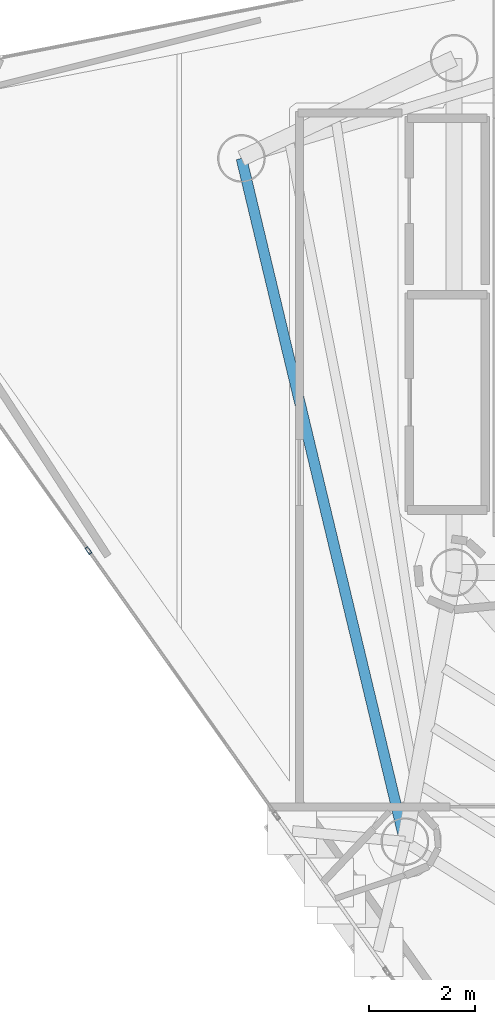
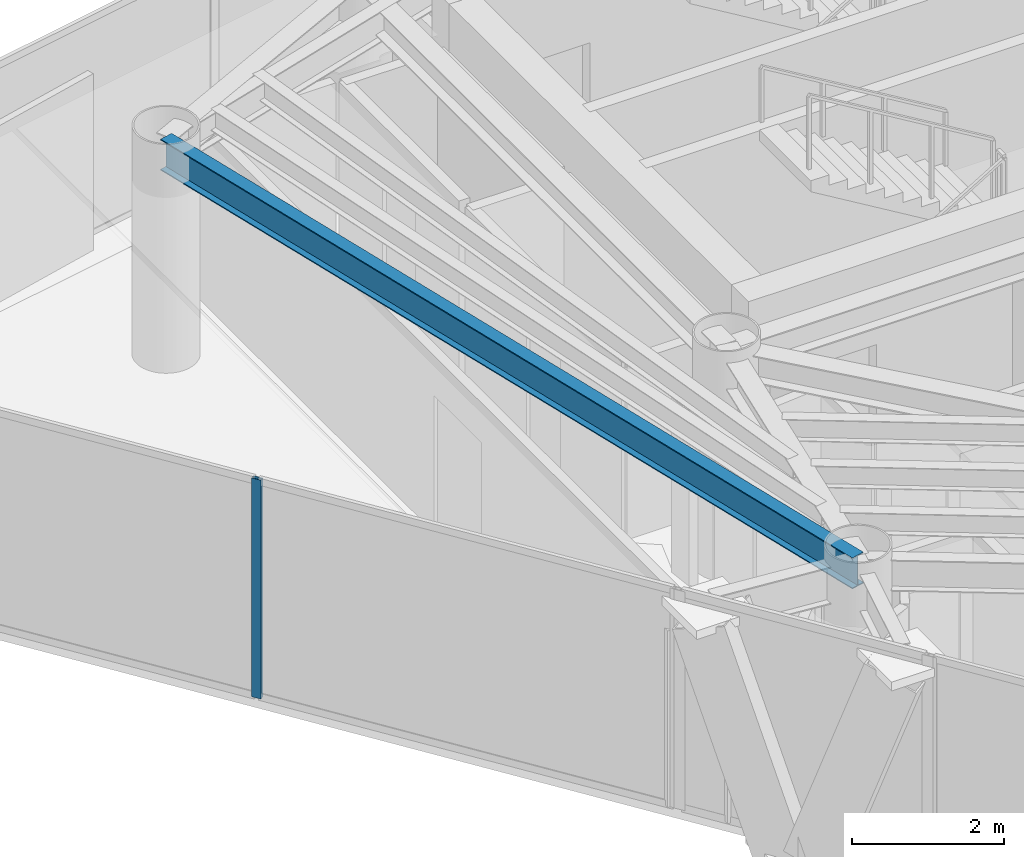
# One storey, part 6 of 22: 1 beam, 1 member, 1 element without a shape of its own.
"""IFC4 building model written with IfcOpenShell, lengths in metres."""

from ifc_helpers import new_model, si_unit, direction, frame, origin, origin_2d, place, context, subcontext, project, spatial, hollow_rectangle, i_section, extrude, material, layer, layer_set, material_profile, profile_set, type_object, element, aggregate, save


model = new_model("IFC4")

# Units and contexts
model_context = context("Model", 3, precision=1e-05, world=origin(), true_north=direction((0.0, 1.0)))
body_context = subcontext(model_context, "Body", "Model", "MODEL_VIEW")
ifc_project = project(units=[si_unit("LENGTHUNIT", "METRE"), si_unit("AREAUNIT", "SQUARE_METRE"), si_unit("VOLUMEUNIT", "CUBIC_METRE"), si_unit("PLANEANGLEUNIT", "RADIAN"), si_unit("MASSUNIT", "GRAM", prefix="KILO")], contexts=[model_context])

# Site, building, storey
site_placement = place(None, origin())
site = spatial("IfcSite", under=ifc_project, at=site_placement, CompositionType="ELEMENT")
building_placement = place(site_placement, origin())
building = spatial("IfcBuilding", under=site, at=building_placement, Name="Qianvela Tower", CompositionType="ELEMENT")
storey_placement = place(building_placement, frame((0.0, 0.0, 299.10009765625)))
storey = spatial("IfcBuildingStorey", under=building, at=storey_placement, Name="L77", CompositionType="ELEMENT", Elevation=299.10009765625)

# Beam
ifc_material_1 = material(Name="Steel Q355B", Category="steel")
ifc_material_profile_1 = material_profile(ifc_material_1, i_section(OverallWidth=0.199951171875, OverallDepth=0.5, WebThickness=0.010009765625, FlangeThickness=0.01611328125, at=origin_2d()), Name="HN500x200x10x16")
ifc_profile_set_1 = profile_set([ifc_material_profile_1], Name="Steel Q355B")
beam_type = type_object("IfcBeamType", Name="BM-HN500-GIRD", PredefinedType="BEAM", material=ifc_profile_set_1)
beam_placement = place(storey_placement, frame((24.5869140625, 31.6630859375, 3.267822265625), z_axis=(0.232631550142, -0.972564939672, 0.0), x_axis=(0.972564939672, 0.232631550142, 0.0)))
element("IfcBeam", 1, at=beam_placement, inside=storey, type_object=beam_type, Name="L77 Perimeter Ring Spandrel Girder 3", PredefinedType="BEAM", context=body_context, shape_type="SweptSolid", body=[
    extrude(i_section(OverallWidth=0.199951171875, OverallDepth=0.5, WebThickness=0.010009765625, FlangeThickness=0.01611328125, at=origin_2d()), origin(), (0.0, 0.0, 1.0), 13.252685546875),
])

# Curtain wall, member
ifc_material_2 = material(Name="Anodised Architectural Aluminium and Low-E Glass", Category="aluminium")
ifc_layer = layer(ifc_material_2, 0.14990234375)
ifc_layer_set = layer_set([ifc_layer], Name="Anodised Architectural Aluminium and Low-E Glass")
curtain_wall_type = type_object("IfcCurtainWallType", Name="CW-COLIV-Z78", PredefinedType="USERDEFINED", material=ifc_layer_set)
curtain_wall_placement = place(storey_placement, origin())
curtain_wall = element("IfcCurtainWall", 2, at=curtain_wall_placement, inside=storey, type_object=curtain_wall_type, Name="L77 CW-COLIV-Z78 Curtain Wall 04A", ObjectType="CURTAIN_WALL_SYSTEM", PredefinedType="USERDEFINED")
ifc_material_3 = material(Name="Anodised Architectural Aluminium 6063-T6", Category="aluminium")
ifc_material_profile_2 = material_profile(ifc_material_3, hollow_rectangle(XDim=0.06005859375, YDim=0.139892578125, WallThickness=0.00439453125, at=origin_2d()), Name="ALU-MULL-60x140")
ifc_profile_set_2 = profile_set([ifc_material_profile_2], Name="Anodised Architectural Aluminium 6063-T6")
member_type = type_object("IfcMemberType", Name="CW-COLIV-Z78-MULL", PredefinedType="MULLION", material=ifc_profile_set_2)
member_placement = place(storey_placement, frame((21.701171875, 24.263916015625, 0.0), z_axis=(0.0, 0.0, 1.0), x_axis=(0.815531728459, 0.578712363681, 0.0)))
member = element("IfcMember", 3, at=member_placement, type_object=member_type, Name="CW-6 mullion 2", PredefinedType="MULLION", context=body_context, shape_type="SweptSolid", body=[
    extrude(hollow_rectangle(XDim=0.06005859375, YDim=0.139892578125, WallThickness=0.00439453125, at=origin_2d()), origin(), (0.0, 0.0, 1.0), 3.52001953125),
])
aggregate(curtain_wall, [member])

save(model, "model.ifc")
